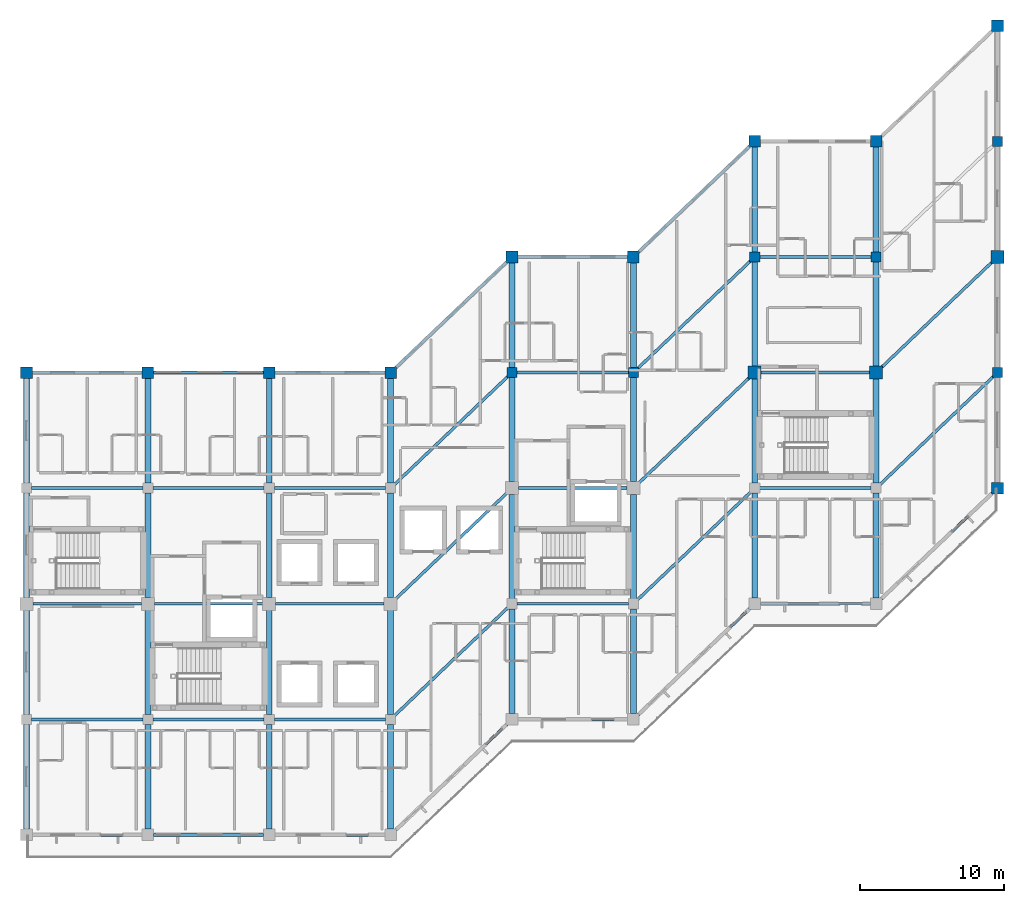
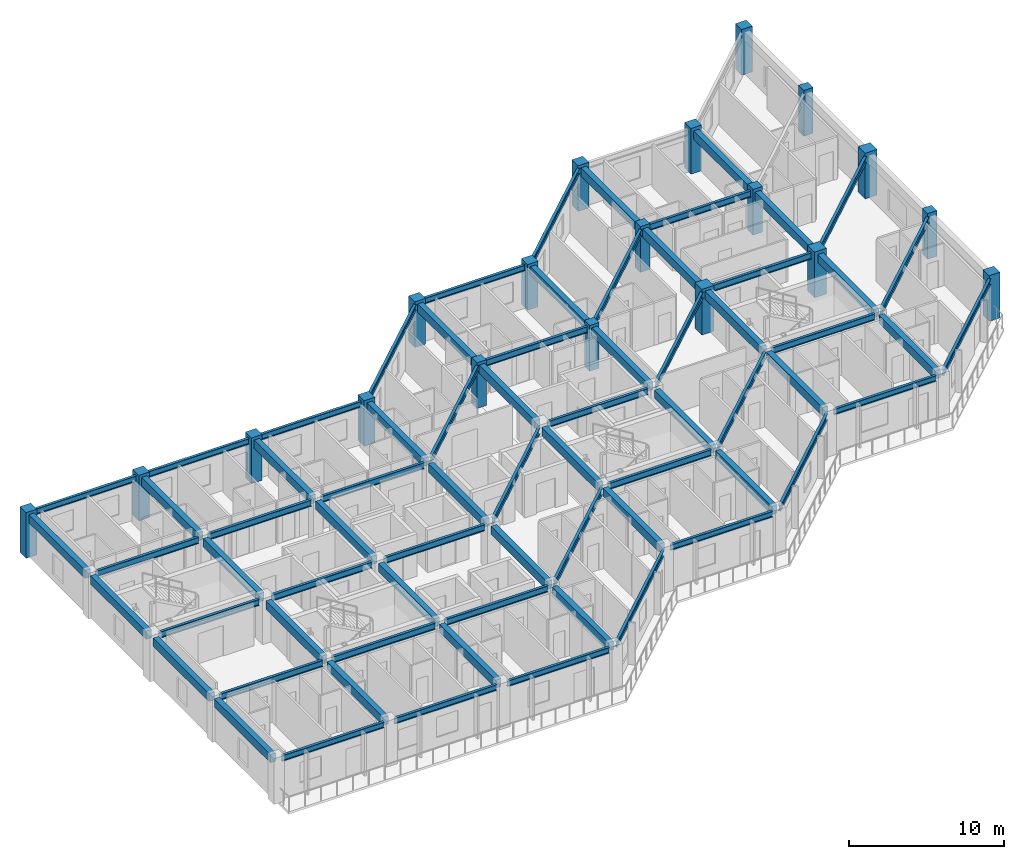
# One storey, part 3 of 17: 69 beams, 19 columns.
"""IFC4 building model written with IfcOpenShell, lengths in metres."""

from ifc_helpers import new_model, si_unit, direction, frame, origin, origin_2d, place, context, subcontext, project, spatial, rectangle, i_section, extrude, material, material_profile, profile_set, type_object, element, save


model = new_model("IFC4")

# Units and contexts
model_context = context("Model", 3, precision=1e-05, world=origin(), true_north=direction((0.0, 1.0)))
body_context = subcontext(model_context, "Body", "Model", "MODEL_VIEW")
ifc_project = project(units=[si_unit("LENGTHUNIT", "METRE"), si_unit("AREAUNIT", "SQUARE_METRE"), si_unit("VOLUMEUNIT", "CUBIC_METRE"), si_unit("PLANEANGLEUNIT", "RADIAN"), si_unit("MASSUNIT", "GRAM", prefix="KILO")], contexts=[model_context])

# Site, building, storey
site_placement = place(None, origin())
site = spatial("IfcSite", under=ifc_project, at=site_placement, CompositionType="ELEMENT")
building_placement = place(site_placement, origin())
building = spatial("IfcBuilding", under=site, at=building_placement, Name="Naruveol Harbour Congress Hotel", CompositionType="ELEMENT")
storey_placement = place(building_placement, frame((0.0, 0.0, 25.199951171875)))
storey = spatial("IfcBuildingStorey", under=building, at=storey_placement, Name="L05", CompositionType="ELEMENT", Elevation=25.199951171875)

# Columns
ifc_material_1 = material(Name="Concrete C40/50", Category="concrete")
ifc_material_profile_1 = material_profile(ifc_material_1, rectangle(XDim=0.699951171875, YDim=0.699951171875, at=origin_2d()), Name="RC-700x700")
ifc_profile_set_1 = profile_set([ifc_material_profile_1], Name="Concrete C40/50")
column_type_1 = type_object("IfcColumnType", Name="RC HOTEL COLUMN 700X700", PredefinedType="COLUMN", material=ifc_profile_set_1)
for number, where, z_axis, x_axis, name in (
    (1, (151.199951171875, 32.0, 0.0), (0.0, 0.0, 1.0), (1.0, 0.0, 0.0), "Planted hotel column C-700 L05 S4/J3"),
    (2, (159.60009765625, 32.0, 0.0), (0.0, 0.0, 1.0), (1.0, 0.0, 0.0), "Planted hotel column C-700 L05 S5/J3"),
    (3, (168.0, 40.0, 0.0), (0.0, 0.0, 1.0), (1.0, 0.0, 0.0), "Planted hotel column C-700 L05 S6/J3"),
    (4, (176.39990234375, 40.0, 0.0), (0.0, 0.0, 1.0), (1.0, 0.0, 0.0), "Planted hotel column C-700 L05 S7/J3"),
    (5, (184.800048828125, 32.0, 0.0), (0.0, 0.0, 1.0), (1.0, 0.0, 0.0), "Planted hotel column C-700 L05 S8/J1"),
    (6, (184.800048828125, 48.0, 0.0), (0.0, 0.0, 1.0), (1.0, 0.0, 0.0), "Planted hotel column C-700 L05 S8/J3"),
):
    element("IfcColumn", number, at=place(storey_placement, frame(where, z_axis=z_axis, x_axis=x_axis)), inside=storey, type_object=column_type_1, Name=name, PredefinedType="COLUMN", context=body_context, shape_type="SweptSolid", body=[
        extrude(rectangle(XDim=0.699951171875, YDim=0.699951171875, at=origin_2d()), origin(), (0.0, 0.0, 1.0), 3.60009765625),
    ])
ifc_material_2 = material(Name="Concrete C50/60", Category="concrete")
ifc_material_profile_2 = material_profile(ifc_material_2, rectangle(XDim=0.800048828125, YDim=0.800048828125, at=origin_2d()), Name="RC-800x800")
ifc_profile_set_2 = profile_set([ifc_material_profile_2], Name="Concrete C50/60")
column_type_2 = type_object("IfcColumnType", Name="RC PODIUM COLUMN 800X800", PredefinedType="COLUMN", material=ifc_profile_set_2)
for number, where, z_axis, x_axis, name in (
    (7, (117.60009765625, 32.0, 0.0), (0.0, 0.0, 1.0), (1.0, 0.0, 0.0), "Column C-800 L05 (117.6,32.0)"),
    (8, (126.0, 32.0, 0.0), (0.0, 0.0, 1.0), (1.0, 0.0, 0.0), "Column C-800 L05 (126.0,32.0)"),
    (9, (134.39990234375, 32.0, 0.0), (0.0, 0.0, 1.0), (1.0, 0.0, 0.0), "Column C-800 L05 (134.4,32.0)"),
    (10, (142.800048828125, 32.0, 0.0), (0.0, 0.0, 1.0), (1.0, 0.0, 0.0), "Column C-800 L05 (142.8,32.0)"),
    (11, (151.199951171875, 40.0, 0.0), (0.0, 0.0, 1.0), (1.0, 0.0, 0.0), "Column C-800 L05 (151.2,40.0)"),
    (12, (159.60009765625, 40.0, 0.0), (0.0, 0.0, 1.0), (1.0, 0.0, 0.0), "Column C-800 L05 (159.6,40.0)"),
    (13, (168.0, 48.0, 0.0), (0.0, 0.0, 1.0), (1.0, 0.0, 0.0), "Column C-800 L05 (168.0,48.0)"),
    (14, (176.39990234375, 48.0, 0.0), (0.0, 0.0, 1.0), (1.0, 0.0, 0.0), "Column C-800 L05 (176.4,48.0)"),
    (15, (184.800048828125, 24.0, 0.0), (0.0, 0.0, 1.0), (1.0, 0.0, 0.0), "Column C-800 L05 (184.8,24.0)"),
    (16, (184.800048828125, 56.0, 0.0), (0.0, 0.0, 1.0), (1.0, 0.0, 0.0), "Column C-800 L05 (184.8,56.0)"),
):
    element("IfcColumn", number, at=place(storey_placement, frame(where, z_axis=z_axis, x_axis=x_axis)), inside=storey, type_object=column_type_2, Name=name, PredefinedType="COLUMN", context=body_context, shape_type="SweptSolid", body=[
        extrude(rectangle(XDim=0.800048828125, YDim=0.800048828125, at=origin_2d()), origin(), (0.0, 0.0, 1.0), 3.60009765625),
    ])
ifc_material_3 = material(Name="Concrete C50/60", Category="concrete")
ifc_material_profile_3 = material_profile(ifc_material_3, rectangle(XDim=0.89990234375, YDim=0.89990234375, at=origin_2d()), Name="RC-900x900")
ifc_profile_set_3 = profile_set([ifc_material_profile_3], Name="Concrete C50/60")
column_type_3 = type_object("IfcColumnType", Name="RC PRIMARY COLUMN 900X900", PredefinedType="COLUMN", material=ifc_profile_set_3)
for number, where, z_axis, x_axis, name in (
    (17, (168.0, 32.0, 0.0), (0.0, 0.0, 1.0), (1.0, 0.0, 0.0), "Column C-900 L05 (168.0,32.0)"),
    (18, (176.39990234375, 32.0, 0.0), (0.0, 0.0, 1.0), (1.0, 0.0, 0.0), "Column C-900 L05 (176.4,32.0)"),
    (19, (184.800048828125, 40.0, 0.0), (0.0, 0.0, 1.0), (1.0, 0.0, 0.0), "Column C-900 L05 (184.8,40.0)"),
):
    element("IfcColumn", number, at=place(storey_placement, frame(where, z_axis=z_axis, x_axis=x_axis)), inside=storey, type_object=column_type_3, Name=name, PredefinedType="COLUMN", context=body_context, shape_type="SweptSolid", body=[
        extrude(rectangle(XDim=0.89990234375, YDim=0.89990234375, at=origin_2d()), origin(), (0.0, 0.0, 1.0), 3.60009765625),
    ])

# Beams
ifc_material_4 = material(Name="Concrete C40/50", Category="concrete")
ifc_material_profile_4 = material_profile(ifc_material_4, rectangle(XDim=0.39990234375, YDim=0.64990234375, at=origin_2d()), Name="RCB-400x650")
ifc_profile_set_4 = profile_set([ifc_material_profile_4], Name="Concrete C40/50")
beam_type_1 = type_object("IfcBeamType", Name="RC HOTEL BEAM 400X650", PredefinedType="BEAM", material=ifc_profile_set_4)
beam_1_placement = place(storey_placement, frame((117.60009765625, 0.39599609375, 3.054931640625), z_axis=(0.0, 1.0, 0.0), x_axis=(-1.0, 0.0, 0.0)))
element("IfcBeam", 20, at=beam_1_placement, inside=storey, type_object=beam_type_1, Name="Hotel transverse beam L06 CB4", PredefinedType="BEAM", context=body_context, shape_type="SweptSolid", body=[
    extrude(rectangle(XDim=0.39990234375, YDim=0.64990234375, at=origin_2d()), origin(), (0.0, 0.0, 1.0), 7.258056640625),
])
for number, where, z_axis, x_axis, name in (
    (21, (117.60009765625, 8.345947265625, 3.054931640625), (0.0, 1.0, 0.0), (-1.0, 0.0, 0.0), "Hotel transverse beam L06 CB4"),
    (22, (117.60009765625, 16.446044921875, 3.054931640625), (0.0, 1.0, 0.0), (-1.0, 0.0, 0.0), "Hotel transverse beam L06 CB4"),
):
    element("IfcBeam", number, at=place(storey_placement, frame(where, z_axis=z_axis, x_axis=x_axis)), inside=storey, type_object=beam_type_1, Name=name, PredefinedType="BEAM", context=body_context, shape_type="SweptSolid", body=[
        extrude(rectangle(XDim=0.39990234375, YDim=0.64990234375, at=origin_2d()), origin(), (0.0, 0.0, 1.0), 7.2080078125),
    ])
for number, where, z_axis, x_axis, name in (
    (23, (117.60009765625, 24.345947265625, 3.054931640625), (0.0, 1.0, 0.0), (-1.0, 0.0, 0.0), "Hotel transverse beam L06 CB4"),
    (24, (126.0, 0.39599609375, 3.054931640625), (0.0, 1.0, 0.0), (-1.0, 0.0, 0.0), "Hotel transverse beam L06 CB4"),
):
    element("IfcBeam", number, at=place(storey_placement, frame(where, z_axis=z_axis, x_axis=x_axis)), inside=storey, type_object=beam_type_1, Name=name, PredefinedType="BEAM", context=body_context, shape_type="SweptSolid", body=[
        extrude(rectangle(XDim=0.39990234375, YDim=0.64990234375, at=origin_2d()), origin(), (0.0, 0.0, 1.0), 7.258056640625),
    ])
for number, where, z_axis, x_axis, name in (
    (25, (126.0, 8.345947265625, 3.054931640625), (0.0, 1.0, 0.0), (-1.0, 0.0, 0.0), "Hotel transverse beam L06 CB4"),
    (26, (126.0, 16.446044921875, 3.054931640625), (0.0, 1.0, 0.0), (-1.0, 0.0, 0.0), "Hotel transverse beam L06 CB4"),
):
    element("IfcBeam", number, at=place(storey_placement, frame(where, z_axis=z_axis, x_axis=x_axis)), inside=storey, type_object=beam_type_1, Name=name, PredefinedType="BEAM", context=body_context, shape_type="SweptSolid", body=[
        extrude(rectangle(XDim=0.39990234375, YDim=0.64990234375, at=origin_2d()), origin(), (0.0, 0.0, 1.0), 7.2080078125),
    ])
for number, where, z_axis, x_axis, name in (
    (27, (126.0, 24.345947265625, 3.054931640625), (0.0, 1.0, 0.0), (-1.0, 0.0, 0.0), "Hotel transverse beam L06 CB4"),
    (28, (134.39990234375, 0.39599609375, 3.054931640625), (0.0, 1.0, 0.0), (-1.0, 0.0, 0.0), "Hotel transverse beam L06 CB4"),
):
    element("IfcBeam", number, at=place(storey_placement, frame(where, z_axis=z_axis, x_axis=x_axis)), inside=storey, type_object=beam_type_1, Name=name, PredefinedType="BEAM", context=body_context, shape_type="SweptSolid", body=[
        extrude(rectangle(XDim=0.39990234375, YDim=0.64990234375, at=origin_2d()), origin(), (0.0, 0.0, 1.0), 7.258056640625),
    ])
for number, where, z_axis, x_axis, name in (
    (29, (134.39990234375, 8.345947265625, 3.054931640625), (0.0, 1.0, 0.0), (-1.0, 0.0, 0.0), "Hotel transverse beam L06 CB4"),
    (30, (134.39990234375, 16.446044921875, 3.054931640625), (0.0, 1.0, 0.0), (-1.0, 0.0, 0.0), "Hotel transverse beam L06 CB4"),
):
    element("IfcBeam", number, at=place(storey_placement, frame(where, z_axis=z_axis, x_axis=x_axis)), inside=storey, type_object=beam_type_1, Name=name, PredefinedType="BEAM", context=body_context, shape_type="SweptSolid", body=[
        extrude(rectangle(XDim=0.39990234375, YDim=0.64990234375, at=origin_2d()), origin(), (0.0, 0.0, 1.0), 7.2080078125),
    ])
for number, where, z_axis, x_axis, name in (
    (31, (134.39990234375, 24.345947265625, 3.054931640625), (0.0, 1.0, 0.0), (-1.0, 0.0, 0.0), "Hotel transverse beam L06 CB4"),
    (32, (142.800048828125, 0.39599609375, 3.054931640625), (0.0, 1.0, 0.0), (-1.0, 0.0, 0.0), "Hotel transverse beam L06 CB4"),
):
    element("IfcBeam", number, at=place(storey_placement, frame(where, z_axis=z_axis, x_axis=x_axis)), inside=storey, type_object=beam_type_1, Name=name, PredefinedType="BEAM", context=body_context, shape_type="SweptSolid", body=[
        extrude(rectangle(XDim=0.39990234375, YDim=0.64990234375, at=origin_2d()), origin(), (0.0, 0.0, 1.0), 7.258056640625),
    ])
for number, where, z_axis, x_axis, name in (
    (33, (142.800048828125, 8.345947265625, 3.054931640625), (0.0, 1.0, 0.0), (-1.0, 0.0, 0.0), "Hotel transverse beam L06 CB4"),
    (34, (142.800048828125, 16.446044921875, 3.054931640625), (0.0, 1.0, 0.0), (-1.0, 0.0, 0.0), "Hotel transverse beam L06 CB4"),
):
    element("IfcBeam", number, at=place(storey_placement, frame(where, z_axis=z_axis, x_axis=x_axis)), inside=storey, type_object=beam_type_1, Name=name, PredefinedType="BEAM", context=body_context, shape_type="SweptSolid", body=[
        extrude(rectangle(XDim=0.39990234375, YDim=0.64990234375, at=origin_2d()), origin(), (0.0, 0.0, 1.0), 7.2080078125),
    ])
for number, where, z_axis, x_axis, name in (
    (35, (142.800048828125, 24.345947265625, 3.054931640625), (0.0, 1.0, 0.0), (-1.0, 0.0, 0.0), "Hotel transverse beam L06 CB4"),
    (36, (151.199951171875, 8.39599609375, 3.054931640625), (0.0, 1.0, 0.0), (-1.0, 0.0, 0.0), "Hotel transverse beam L06 CB4"),
):
    element("IfcBeam", number, at=place(storey_placement, frame(where, z_axis=z_axis, x_axis=x_axis)), inside=storey, type_object=beam_type_1, Name=name, PredefinedType="BEAM", context=body_context, shape_type="SweptSolid", body=[
        extrude(rectangle(XDim=0.39990234375, YDim=0.64990234375, at=origin_2d()), origin(), (0.0, 0.0, 1.0), 7.258056640625),
    ])
for number, where, z_axis, x_axis, name in (
    (37, (151.199951171875, 16.345947265625, 3.054931640625), (0.0, 1.0, 0.0), (-1.0, 0.0, 0.0), "Hotel transverse beam L06 CB4"),
    (38, (151.199951171875, 24.446044921875, 3.054931640625), (0.0, 1.0, 0.0), (-1.0, 0.0, 0.0), "Hotel transverse beam L06 CB4"),
):
    element("IfcBeam", number, at=place(storey_placement, frame(where, z_axis=z_axis, x_axis=x_axis)), inside=storey, type_object=beam_type_1, Name=name, PredefinedType="BEAM", context=body_context, shape_type="SweptSolid", body=[
        extrude(rectangle(XDim=0.39990234375, YDim=0.64990234375, at=origin_2d()), origin(), (0.0, 0.0, 1.0), 7.2080078125),
    ])
for number, where, z_axis, x_axis, name in (
    (39, (151.199951171875, 32.345947265625, 3.054931640625), (0.0, 1.0, 0.0), (-1.0, 0.0, 0.0), "Hotel transverse beam L06 CB4"),
    (40, (159.60009765625, 8.39599609375, 3.054931640625), (0.0, 1.0, 0.0), (-1.0, 0.0, 0.0), "Hotel transverse beam L06 CB4"),
):
    element("IfcBeam", number, at=place(storey_placement, frame(where, z_axis=z_axis, x_axis=x_axis)), inside=storey, type_object=beam_type_1, Name=name, PredefinedType="BEAM", context=body_context, shape_type="SweptSolid", body=[
        extrude(rectangle(XDim=0.39990234375, YDim=0.64990234375, at=origin_2d()), origin(), (0.0, 0.0, 1.0), 7.258056640625),
    ])
for number, where, z_axis, x_axis, name in (
    (41, (159.60009765625, 16.345947265625, 3.054931640625), (0.0, 1.0, 0.0), (-1.0, 0.0, 0.0), "Hotel transverse beam L06 CB4"),
    (42, (159.60009765625, 24.446044921875, 3.054931640625), (0.0, 1.0, 0.0), (-1.0, 0.0, 0.0), "Hotel transverse beam L06 CB4"),
):
    element("IfcBeam", number, at=place(storey_placement, frame(where, z_axis=z_axis, x_axis=x_axis)), inside=storey, type_object=beam_type_1, Name=name, PredefinedType="BEAM", context=body_context, shape_type="SweptSolid", body=[
        extrude(rectangle(XDim=0.39990234375, YDim=0.64990234375, at=origin_2d()), origin(), (0.0, 0.0, 1.0), 7.2080078125),
    ])
for number, where, z_axis, x_axis, name in (
    (43, (159.60009765625, 32.345947265625, 3.054931640625), (0.0, 1.0, 0.0), (-1.0, 0.0, 0.0), "Hotel transverse beam L06 CB4"),
    (44, (168.0, 16.39599609375, 3.054931640625), (0.0, 1.0, 0.0), (-1.0, 0.0, 0.0), "Hotel transverse beam L06 CB4"),
):
    element("IfcBeam", number, at=place(storey_placement, frame(where, z_axis=z_axis, x_axis=x_axis)), inside=storey, type_object=beam_type_1, Name=name, PredefinedType="BEAM", context=body_context, shape_type="SweptSolid", body=[
        extrude(rectangle(XDim=0.39990234375, YDim=0.64990234375, at=origin_2d()), origin(), (0.0, 0.0, 1.0), 7.258056640625),
    ])
for number, where, z_axis, x_axis, name in (
    (45, (168.0, 24.345947265625, 3.054931640625), (0.0, 1.0, 0.0), (-1.0, 0.0, 0.0), "Hotel transverse beam L06 CB4"),
    (46, (168.0, 32.446044921875, 3.054931640625), (0.0, 1.0, 0.0), (-1.0, 0.0, 0.0), "Hotel transverse beam L06 CB4"),
):
    element("IfcBeam", number, at=place(storey_placement, frame(where, z_axis=z_axis, x_axis=x_axis)), inside=storey, type_object=beam_type_1, Name=name, PredefinedType="BEAM", context=body_context, shape_type="SweptSolid", body=[
        extrude(rectangle(XDim=0.39990234375, YDim=0.64990234375, at=origin_2d()), origin(), (0.0, 0.0, 1.0), 7.2080078125),
    ])
for number, where, z_axis, x_axis, name in (
    (47, (168.0, 40.345947265625, 3.054931640625), (0.0, 1.0, 0.0), (-1.0, 0.0, 0.0), "Hotel transverse beam L06 CB4"),
    (48, (176.39990234375, 16.39599609375, 3.01513671875), (0.0, 1.0, 0.0), (-1.0, 0.0, 0.0), "Hotel transverse beam L06 CB4"),
):
    element("IfcBeam", number, at=place(storey_placement, frame(where, z_axis=z_axis, x_axis=x_axis)), inside=storey, type_object=beam_type_1, Name=name, PredefinedType="BEAM", context=body_context, shape_type="SweptSolid", body=[
        extrude(rectangle(XDim=0.39990234375, YDim=0.64990234375, at=origin_2d()), origin(), (0.0, 0.0, 1.0), 7.258056640625),
    ])
for number, where, z_axis, x_axis, name in (
    (49, (176.39990234375, 24.345947265625, 3.01513671875), (0.0, 1.0, 0.0), (-1.0, 0.0, 0.0), "Hotel transverse beam L06 CB4"),
    (50, (176.39990234375, 32.446044921875, 3.01513671875), (0.0, 1.0, 0.0), (-1.0, 0.0, 0.0), "Hotel transverse beam L06 CB4"),
):
    element("IfcBeam", number, at=place(storey_placement, frame(where, z_axis=z_axis, x_axis=x_axis)), inside=storey, type_object=beam_type_1, Name=name, PredefinedType="BEAM", context=body_context, shape_type="SweptSolid", body=[
        extrude(rectangle(XDim=0.39990234375, YDim=0.64990234375, at=origin_2d()), origin(), (0.0, 0.0, 1.0), 7.2080078125),
    ])
beam_2_placement = place(storey_placement, frame((176.39990234375, 40.345947265625, 3.01513671875), z_axis=(0.0, 1.0, 0.0), x_axis=(-1.0, 0.0, 0.0)))
element("IfcBeam", 51, at=beam_2_placement, inside=storey, type_object=beam_type_1, Name="Hotel transverse beam L06 CB4", PredefinedType="BEAM", context=body_context, shape_type="SweptSolid", body=[
    extrude(rectangle(XDim=0.39990234375, YDim=0.64990234375, at=origin_2d()), origin(), (0.0, 0.0, 1.0), 7.258056640625),
])
ifc_material_5 = material(Name="Steel SN490", Category="steel")
ifc_material_profile_5 = material_profile(ifc_material_5, i_section(OverallWidth=0.199951171875, OverallDepth=0.5, WebThickness=0.010009765625, FlangeThickness=0.01611328125, at=origin_2d()), Name="H-500x200x10x16")
ifc_profile_set_5 = profile_set([ifc_material_profile_5], Name="Steel SN490")
beam_type_2 = type_object("IfcBeamType", Name="STEEL FLOOR GIRDER H500", PredefinedType="BEAM", material=ifc_profile_set_5)
beam_3_placement = place(storey_placement, frame((117.946044921875, 8.0, 3.130126953125), z_axis=(1.0, 0.0, 0.0), x_axis=(0.0, 1.0, 0.0)))
element("IfcBeam", 52, at=beam_3_placement, inside=storey, type_object=beam_type_2, Name="Hotel chord beam L06 SB2", PredefinedType="BEAM", context=body_context, shape_type="SweptSolid", body=[
    extrude(i_section(OverallWidth=0.199951171875, OverallDepth=0.5, WebThickness=0.010009765625, FlangeThickness=0.01611328125, at=origin_2d()), origin(), (0.0, 0.0, 1.0), 7.7080078125),
])
beam_4_placement = place(storey_placement, frame((118.0458984375, 16.0, 3.130126953125), z_axis=(1.0, 0.0, 0.0), x_axis=(0.0, 1.0, 0.0)))
element("IfcBeam", 53, at=beam_4_placement, inside=storey, type_object=beam_type_2, Name="Hotel chord beam L06 SB2", PredefinedType="BEAM", context=body_context, shape_type="SweptSolid", body=[
    extrude(i_section(OverallWidth=0.199951171875, OverallDepth=0.5, WebThickness=0.010009765625, FlangeThickness=0.01611328125, at=origin_2d()), origin(), (0.0, 0.0, 1.0), 7.508056640625),
])
for number, where, z_axis, x_axis, name in (
    (54, (117.946044921875, 24.0, 3.130126953125), (1.0, 0.0, 0.0), (0.0, 1.0, 0.0), "Hotel chord beam L06 SB2"),
    (55, (126.345947265625, 8.0, 3.130126953125), (1.0, 0.0, 0.0), (0.0, 1.0, 0.0), "Hotel chord beam L06 SB2"),
):
    element("IfcBeam", number, at=place(storey_placement, frame(where, z_axis=z_axis, x_axis=x_axis)), inside=storey, type_object=beam_type_2, Name=name, PredefinedType="BEAM", context=body_context, shape_type="SweptSolid", body=[
        extrude(i_section(OverallWidth=0.199951171875, OverallDepth=0.5, WebThickness=0.010009765625, FlangeThickness=0.01611328125, at=origin_2d()), origin(), (0.0, 0.0, 1.0), 7.7080078125),
    ])
beam_5_placement = place(storey_placement, frame((126.446044921875, 16.0, 3.130126953125), z_axis=(1.0, 0.0, 0.0), x_axis=(0.0, 1.0, 0.0)))
element("IfcBeam", 56, at=beam_5_placement, inside=storey, type_object=beam_type_2, Name="Hotel chord beam L06 SB2", PredefinedType="BEAM", context=body_context, shape_type="SweptSolid", body=[
    extrude(i_section(OverallWidth=0.199951171875, OverallDepth=0.5, WebThickness=0.010009765625, FlangeThickness=0.01611328125, at=origin_2d()), origin(), (0.0, 0.0, 1.0), 7.508056640625),
])
for number, where, z_axis, x_axis, name in (
    (57, (126.345947265625, 24.0, 3.130126953125), (1.0, 0.0, 0.0), (0.0, 1.0, 0.0), "Hotel chord beam L06 SB2"),
    (58, (134.74609375, 8.0, 3.130126953125), (1.0, 0.0, 0.0), (0.0, 1.0, 0.0), "Hotel chord beam L06 SB2"),
):
    element("IfcBeam", number, at=place(storey_placement, frame(where, z_axis=z_axis, x_axis=x_axis)), inside=storey, type_object=beam_type_2, Name=name, PredefinedType="BEAM", context=body_context, shape_type="SweptSolid", body=[
        extrude(i_section(OverallWidth=0.199951171875, OverallDepth=0.5, WebThickness=0.010009765625, FlangeThickness=0.01611328125, at=origin_2d()), origin(), (0.0, 0.0, 1.0), 7.7080078125),
    ])
beam_6_placement = place(storey_placement, frame((134.845947265625, 16.0, 3.130126953125), z_axis=(1.0, 0.0, 0.0), x_axis=(0.0, 1.0, 0.0)))
element("IfcBeam", 59, at=beam_6_placement, inside=storey, type_object=beam_type_2, Name="Hotel chord beam L06 SB2", PredefinedType="BEAM", context=body_context, shape_type="SweptSolid", body=[
    extrude(i_section(OverallWidth=0.199951171875, OverallDepth=0.5, WebThickness=0.010009765625, FlangeThickness=0.01611328125, at=origin_2d()), origin(), (0.0, 0.0, 1.0), 7.508056640625),
])
beam_7_placement = place(storey_placement, frame((134.74609375, 24.0, 3.130126953125), z_axis=(1.0, 0.0, 0.0), x_axis=(0.0, 1.0, 0.0)))
element("IfcBeam", 60, at=beam_7_placement, inside=storey, type_object=beam_type_2, Name="Hotel chord beam L06 SB2", PredefinedType="BEAM", context=body_context, shape_type="SweptSolid", body=[
    extrude(i_section(OverallWidth=0.199951171875, OverallDepth=0.5, WebThickness=0.010009765625, FlangeThickness=0.01611328125, at=origin_2d()), origin(), (0.0, 0.0, 1.0), 7.7080078125),
])
beam_8_placement = place(storey_placement, frame((143.050537109375, 8.238525390625, 3.130126953125), z_axis=(0.724130479369, 0.689662996578, 0.0), x_axis=(-0.689662996578, 0.724130479369, 0.0)))
element("IfcBeam", 61, at=beam_8_placement, inside=storey, type_object=beam_type_2, Name="Hotel chord beam L06 SB2", PredefinedType="BEAM", context=body_context, shape_type="SweptSolid", body=[
    extrude(i_section(OverallWidth=0.199951171875, OverallDepth=0.5, WebThickness=0.010009765625, FlangeThickness=0.01611328125, at=origin_2d()), origin(), (0.0, 0.0, 1.0), 10.908203125),
])
beam_9_placement = place(storey_placement, frame((143.123046875, 16.3076171875, 3.130126953125), z_axis=(0.724133593293, 0.689659727013, 0.0), x_axis=(-0.689659727013, 0.724133593293, 0.0)))
element("IfcBeam", 62, at=beam_9_placement, inside=storey, type_object=beam_type_2, Name="Hotel chord beam L06 SB2", PredefinedType="BEAM", context=body_context, shape_type="SweptSolid", body=[
    extrude(i_section(OverallWidth=0.199951171875, OverallDepth=0.5, WebThickness=0.010009765625, FlangeThickness=0.01611328125, at=origin_2d()), origin(), (0.0, 0.0, 1.0), 10.707763671875),
])
beam_10_placement = place(storey_placement, frame((143.050537109375, 24.238525390625, 3.130126953125), z_axis=(0.724130479369, 0.689662996578, 0.0), x_axis=(-0.689662996578, 0.724130479369, 0.0)))
element("IfcBeam", 63, at=beam_10_placement, inside=storey, type_object=beam_type_2, Name="Hotel chord beam L06 SB2", PredefinedType="BEAM", context=body_context, shape_type="SweptSolid", body=[
    extrude(i_section(OverallWidth=0.199951171875, OverallDepth=0.5, WebThickness=0.010009765625, FlangeThickness=0.01611328125, at=origin_2d()), origin(), (0.0, 0.0, 1.0), 10.908203125),
])
beam_11_placement = place(storey_placement, frame((151.5458984375, 16.0, 3.130126953125), z_axis=(1.0, 0.0, 0.0), x_axis=(0.0, 1.0, 0.0)))
element("IfcBeam", 64, at=beam_11_placement, inside=storey, type_object=beam_type_2, Name="Hotel chord beam L06 SB2", PredefinedType="BEAM", context=body_context, shape_type="SweptSolid", body=[
    extrude(i_section(OverallWidth=0.199951171875, OverallDepth=0.5, WebThickness=0.010009765625, FlangeThickness=0.01611328125, at=origin_2d()), origin(), (0.0, 0.0, 1.0), 7.7080078125),
])
beam_12_placement = place(storey_placement, frame((151.64599609375, 24.0, 3.130126953125), z_axis=(1.0, 0.0, 0.0), x_axis=(0.0, 1.0, 0.0)))
element("IfcBeam", 65, at=beam_12_placement, inside=storey, type_object=beam_type_2, Name="Hotel chord beam L06 SB2", PredefinedType="BEAM", context=body_context, shape_type="SweptSolid", body=[
    extrude(i_section(OverallWidth=0.199951171875, OverallDepth=0.5, WebThickness=0.010009765625, FlangeThickness=0.01611328125, at=origin_2d()), origin(), (0.0, 0.0, 1.0), 7.508056640625),
])
beam_13_placement = place(storey_placement, frame((151.5458984375, 32.0, 3.130126953125), z_axis=(1.0, 0.0, 0.0), x_axis=(0.0, 1.0, 0.0)))
element("IfcBeam", 66, at=beam_13_placement, inside=storey, type_object=beam_type_2, Name="Hotel chord beam L06 SB2", PredefinedType="BEAM", context=body_context, shape_type="SweptSolid", body=[
    extrude(i_section(OverallWidth=0.199951171875, OverallDepth=0.5, WebThickness=0.010009765625, FlangeThickness=0.01611328125, at=origin_2d()), origin(), (0.0, 0.0, 1.0), 7.7080078125),
])
beam_14_placement = place(storey_placement, frame((159.8505859375, 16.238525390625, 3.130126953125), z_axis=(0.724130479369, 0.689662996578, 0.0), x_axis=(-0.689662996578, 0.724130479369, 0.0)))
element("IfcBeam", 67, at=beam_14_placement, inside=storey, type_object=beam_type_2, Name="Hotel chord beam L06 SB2", PredefinedType="BEAM", context=body_context, shape_type="SweptSolid", body=[
    extrude(i_section(OverallWidth=0.199951171875, OverallDepth=0.5, WebThickness=0.010009765625, FlangeThickness=0.01611328125, at=origin_2d()), origin(), (0.0, 0.0, 1.0), 10.908203125),
])
beam_15_placement = place(storey_placement, frame((159.923095703125, 24.3076171875, 3.130126953125), z_axis=(0.724133593293, 0.689659727013, 0.0), x_axis=(-0.689659727013, 0.724133593293, 0.0)))
element("IfcBeam", 68, at=beam_15_placement, inside=storey, type_object=beam_type_2, Name="Hotel chord beam L06 SB2", PredefinedType="BEAM", context=body_context, shape_type="SweptSolid", body=[
    extrude(i_section(OverallWidth=0.199951171875, OverallDepth=0.5, WebThickness=0.010009765625, FlangeThickness=0.01611328125, at=origin_2d()), origin(), (0.0, 0.0, 1.0), 10.707763671875),
])
beam_16_placement = place(storey_placement, frame((159.8505859375, 32.238525390625, 3.130126953125), z_axis=(0.724130479369, 0.689662996578, 0.0), x_axis=(-0.689662996578, 0.724130479369, 0.0)))
element("IfcBeam", 69, at=beam_16_placement, inside=storey, type_object=beam_type_2, Name="Hotel chord beam L06 SB2", PredefinedType="BEAM", context=body_context, shape_type="SweptSolid", body=[
    extrude(i_section(OverallWidth=0.199951171875, OverallDepth=0.5, WebThickness=0.010009765625, FlangeThickness=0.01611328125, at=origin_2d()), origin(), (0.0, 0.0, 1.0), 10.908203125),
])
beam_17_placement = place(storey_placement, frame((168.345947265625, 24.0, 3.090087890625), z_axis=(1.0, 0.0, 0.0), x_axis=(0.0, 1.0, 0.0)))
element("IfcBeam", 70, at=beam_17_placement, inside=storey, type_object=beam_type_2, Name="Hotel chord beam L06 SB2", PredefinedType="BEAM", context=body_context, shape_type="SweptSolid", body=[
    extrude(i_section(OverallWidth=0.199951171875, OverallDepth=0.5, WebThickness=0.010009765625, FlangeThickness=0.01611328125, at=origin_2d()), origin(), (0.0, 0.0, 1.0), 7.7080078125),
])
beam_18_placement = place(storey_placement, frame((168.446044921875, 32.0, 3.090087890625), z_axis=(1.0, 0.0, 0.0), x_axis=(0.0, 1.0, 0.0)))
element("IfcBeam", 71, at=beam_18_placement, inside=storey, type_object=beam_type_2, Name="Hotel chord beam L06 SB2", PredefinedType="BEAM", context=body_context, shape_type="SweptSolid", body=[
    extrude(i_section(OverallWidth=0.199951171875, OverallDepth=0.5, WebThickness=0.010009765625, FlangeThickness=0.01611328125, at=origin_2d()), origin(), (0.0, 0.0, 1.0), 7.508056640625),
])
beam_19_placement = place(storey_placement, frame((168.345947265625, 40.0, 3.090087890625), z_axis=(1.0, 0.0, 0.0), x_axis=(0.0, 1.0, 0.0)))
element("IfcBeam", 72, at=beam_19_placement, inside=storey, type_object=beam_type_2, Name="Hotel chord beam L06 SB2", PredefinedType="BEAM", context=body_context, shape_type="SweptSolid", body=[
    extrude(i_section(OverallWidth=0.199951171875, OverallDepth=0.5, WebThickness=0.010009765625, FlangeThickness=0.01611328125, at=origin_2d()), origin(), (0.0, 0.0, 1.0), 7.7080078125),
])
beam_20_placement = place(storey_placement, frame((176.650634765625, 24.238525390625, 3.090087890625), z_axis=(0.724119833693, 0.689674174123, 0.0), x_axis=(-0.689674174123, 0.724119833693, 0.0)))
element("IfcBeam", 73, at=beam_20_placement, inside=storey, type_object=beam_type_2, Name="Hotel chord beam L06 SB2", PredefinedType="BEAM", context=body_context, shape_type="SweptSolid", body=[
    extrude(i_section(OverallWidth=0.199951171875, OverallDepth=0.5, WebThickness=0.010009765625, FlangeThickness=0.01611328125, at=origin_2d()), origin(), (0.0, 0.0, 1.0), 10.907958984375),
])
beam_21_placement = place(storey_placement, frame((176.722900390625, 32.3076171875, 3.090087890625), z_axis=(0.724144437485, 0.689648340576, 0.0), x_axis=(-0.689648340576, 0.724144437485, 0.0)))
element("IfcBeam", 74, at=beam_21_placement, inside=storey, type_object=beam_type_2, Name="Hotel chord beam L06 SB2", PredefinedType="BEAM", context=body_context, shape_type="SweptSolid", body=[
    extrude(i_section(OverallWidth=0.199951171875, OverallDepth=0.5, WebThickness=0.010009765625, FlangeThickness=0.01611328125, at=origin_2d()), origin(), (0.0, 0.0, 1.0), 10.7080078125),
])
ifc_material_6 = material(Name="Steel SN490", Category="steel")
ifc_material_profile_6 = material_profile(ifc_material_6, i_section(OverallWidth=0.199951171875, OverallDepth=0.449951171875, WebThickness=0.009033203125, FlangeThickness=0.013916015625, at=origin_2d()), Name="H-450x200x9x14")
ifc_profile_set_6 = profile_set([ifc_material_profile_6], Name="Steel SN490")
beam_type_3 = type_object("IfcBeamType", Name="STEEL SPANDREL EDGE BEAM H450", PredefinedType="SPANDREL", material=ifc_profile_set_6)
for number, where, z_axis, x_axis, name in (
    (75, (117.99609375, 0.0, 3.155029296875), (1.0, 0.0, 0.0), (0.0, 1.0, 0.0), "Hotel chord beam L06 SPB2"),
    (76, (117.99609375, 32.0, 3.155029296875), (1.0, 0.0, 0.0), (0.0, 1.0, 0.0), "Hotel chord beam L06 SPB2"),
    (77, (126.39599609375, 0.0, 3.155029296875), (1.0, 0.0, 0.0), (0.0, 1.0, 0.0), "Hotel chord beam L06 SPB2"),
    (78, (126.39599609375, 32.0, 3.155029296875), (1.0, 0.0, 0.0), (0.0, 1.0, 0.0), "Hotel chord beam L06 SPB2"),
):
    element("IfcBeam", number, at=place(storey_placement, frame(where, z_axis=z_axis, x_axis=x_axis)), inside=storey, type_object=beam_type_3, Name=name, PredefinedType="SPANDREL", context=body_context, shape_type="SweptSolid", body=[
        extrude(i_section(OverallWidth=0.199951171875, OverallDepth=0.449951171875, WebThickness=0.009033203125, FlangeThickness=0.013916015625, at=origin_2d()), origin(), (0.0, 0.0, 1.0), 7.60791015625),
    ])
for number, where, z_axis, x_axis, name in (
    (79, (134.7958984375, 0.0, 3.155029296875), (1.0, 0.0, 0.0), (0.0, 1.0, 0.0), "Hotel chord beam L06 SPB2"),
    (80, (134.7958984375, 32.0, 3.155029296875), (1.0, 0.0, 0.0), (0.0, 1.0, 0.0), "Hotel chord beam L06 SPB2"),
):
    element("IfcBeam", number, at=place(storey_placement, frame(where, z_axis=z_axis, x_axis=x_axis)), inside=storey, type_object=beam_type_3, Name=name, PredefinedType="SPANDREL", context=body_context, shape_type="SweptSolid", body=[
        extrude(i_section(OverallWidth=0.199951171875, OverallDepth=0.449951171875, WebThickness=0.009033203125, FlangeThickness=0.013916015625, at=origin_2d()), origin(), (0.0, 0.0, 1.0), 7.608154296875),
    ])
for number, where, z_axis, x_axis, name in (
    (81, (143.0869140625, 0.273193359375, 3.155029296875), (0.724132558929, 0.68966081308, 0.0), (-0.68966081308, 0.724132558929, 0.0), "Hotel chord beam L06 SPB2"),
    (82, (143.0869140625, 32.273193359375, 3.155029296875), (0.724132558929, 0.68966081308, 0.0), (-0.68966081308, 0.724132558929, 0.0), "Hotel chord beam L06 SPB2"),
):
    element("IfcBeam", number, at=place(storey_placement, frame(where, z_axis=z_axis, x_axis=x_axis)), inside=storey, type_object=beam_type_3, Name=name, PredefinedType="SPANDREL", context=body_context, shape_type="SweptSolid", body=[
        extrude(i_section(OverallWidth=0.199951171875, OverallDepth=0.449951171875, WebThickness=0.009033203125, FlangeThickness=0.013916015625, at=origin_2d()), origin(), (0.0, 0.0, 1.0), 10.8076171875),
    ])
for number, where, z_axis, x_axis, name in (
    (83, (151.595947265625, 8.0, 3.155029296875), (1.0, 0.0, 0.0), (0.0, 1.0, 0.0), "Hotel chord beam L06 SPB2"),
    (84, (151.595947265625, 40.0, 3.155029296875), (1.0, 0.0, 0.0), (0.0, 1.0, 0.0), "Hotel chord beam L06 SPB2"),
):
    element("IfcBeam", number, at=place(storey_placement, frame(where, z_axis=z_axis, x_axis=x_axis)), inside=storey, type_object=beam_type_3, Name=name, PredefinedType="SPANDREL", context=body_context, shape_type="SweptSolid", body=[
        extrude(i_section(OverallWidth=0.199951171875, OverallDepth=0.449951171875, WebThickness=0.009033203125, FlangeThickness=0.013916015625, at=origin_2d()), origin(), (0.0, 0.0, 1.0), 7.608154296875),
    ])
for number, where, z_axis, x_axis, name in (
    (85, (159.88671875, 8.273193359375, 3.155029296875), (0.724143303008, 0.689649531798, 0.0), (-0.689649531798, 0.724143303008, 0.0), "Hotel chord beam L06 SPB2"),
    (86, (159.88671875, 40.273193359375, 3.155029296875), (0.724143303008, 0.689649531798, 0.0), (-0.689649531798, 0.724143303008, 0.0), "Hotel chord beam L06 SPB2"),
):
    element("IfcBeam", number, at=place(storey_placement, frame(where, z_axis=z_axis, x_axis=x_axis)), inside=storey, type_object=beam_type_3, Name=name, PredefinedType="SPANDREL", context=body_context, shape_type="SweptSolid", body=[
        extrude(i_section(OverallWidth=0.199951171875, OverallDepth=0.449951171875, WebThickness=0.009033203125, FlangeThickness=0.013916015625, at=origin_2d()), origin(), (0.0, 0.0, 1.0), 10.807861328125),
    ])
beam_22_placement = place(storey_placement, frame((168.39599609375, 16.0, 3.114990234375), z_axis=(1.0, 0.0, 0.0), x_axis=(0.0, 1.0, 0.0)))
element("IfcBeam", 87, at=beam_22_placement, inside=storey, type_object=beam_type_3, Name="Hotel chord beam L06 SPB2", PredefinedType="SPANDREL", context=body_context, shape_type="SweptSolid", body=[
    extrude(i_section(OverallWidth=0.199951171875, OverallDepth=0.449951171875, WebThickness=0.009033203125, FlangeThickness=0.013916015625, at=origin_2d()), origin(), (0.0, 0.0, 1.0), 7.60791015625),
])
beam_23_placement = place(storey_placement, frame((176.686767578125, 16.273193359375, 3.114990234375), z_axis=(0.724143303008, 0.689649531798, 0.0), x_axis=(-0.689649531798, 0.724143303008, 0.0)))
element("IfcBeam", 88, at=beam_23_placement, inside=storey, type_object=beam_type_3, Name="Hotel chord beam L06 SPB2", PredefinedType="SPANDREL", context=body_context, shape_type="SweptSolid", body=[
    extrude(i_section(OverallWidth=0.199951171875, OverallDepth=0.449951171875, WebThickness=0.009033203125, FlangeThickness=0.013916015625, at=origin_2d()), origin(), (0.0, 0.0, 1.0), 10.807861328125),
])

save(model, "model.ifc")
